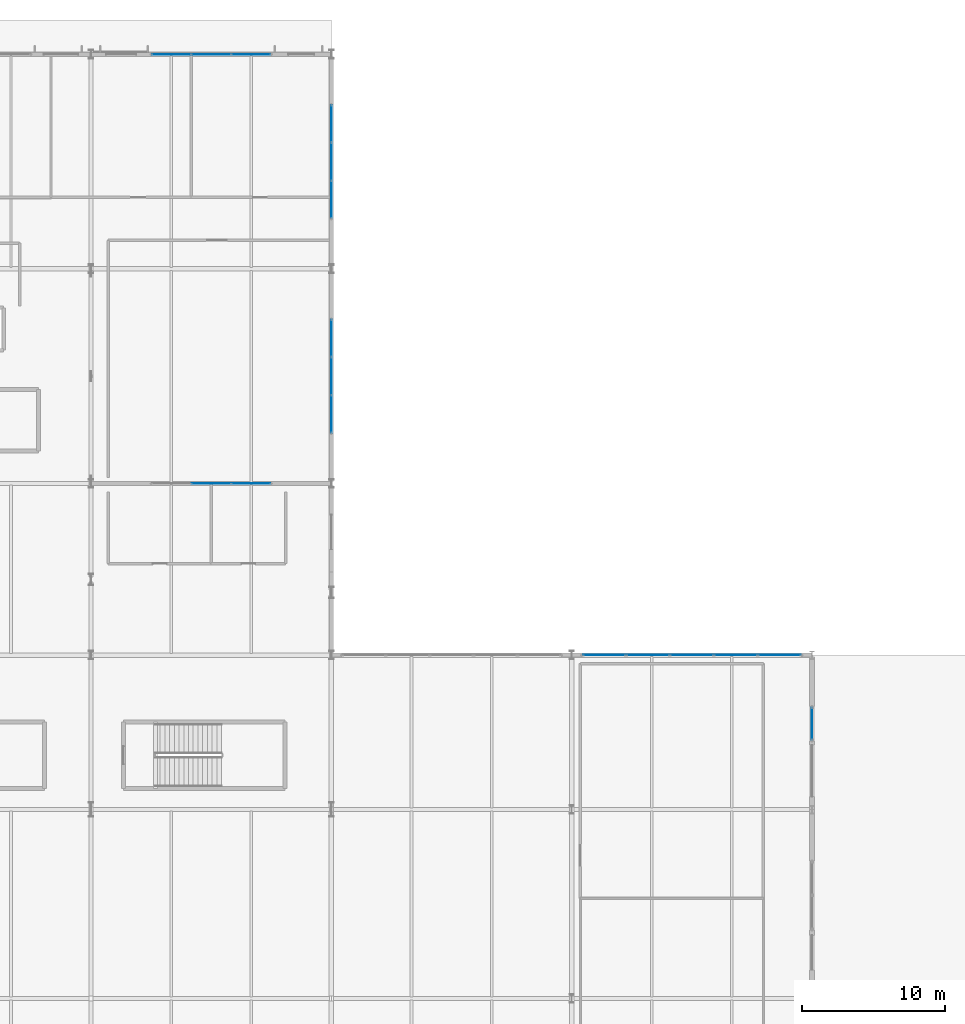
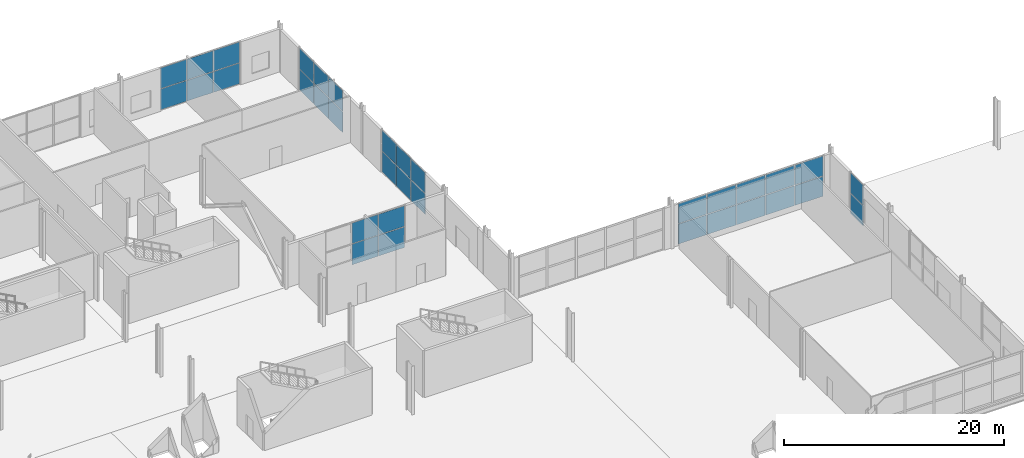
# One storey, part 57 of 87: 34 plates, 6 elements without a shape of their own.
"""IFC4 building model written with IfcOpenShell, lengths in metres."""

from ifc_helpers import new_model, si_unit, direction, frame, origin, origin_2d, place, context, subcontext, project, spatial, rectangle, extrude, material, layer, layer_set, type_object, element, aggregate, save


model = new_model("IFC4")

# Units and contexts
model_context = context("Model", 3, precision=1e-05, world=origin(), true_north=direction((0.0, 1.0)))
body_context = subcontext(model_context, "Body", "Model", "MODEL_VIEW")
ifc_project = project(units=[si_unit("LENGTHUNIT", "METRE"), si_unit("AREAUNIT", "SQUARE_METRE"), si_unit("VOLUMEUNIT", "CUBIC_METRE"), si_unit("PLANEANGLEUNIT", "RADIAN"), si_unit("MASSUNIT", "GRAM", prefix="KILO")], contexts=[model_context])

# Site, building, storey
site_placement = place(None, origin())
site = spatial("IfcSite", under=ifc_project, at=site_placement, CompositionType="ELEMENT")
building_placement = place(site_placement, origin())
building = spatial("IfcBuilding", under=site, at=building_placement, Name="Kimbaza Rail Terminus", CompositionType="ELEMENT")
storey_placement = place(building_placement, origin())
storey = spatial("IfcBuildingStorey", under=building, at=storey_placement, Name="L00", CompositionType="ELEMENT", Elevation=0.0)

# Curtain wall, plates
ifc_material_1 = material(Name="Anodised aluminium framing and solar low-E glazing", Category="aluminium")
curtain_wall_type_1 = type_object("IfcCurtainWallType", Name="ARC-CW-TH1", PredefinedType="USERDEFINED", material=ifc_material_1)
curtain_wall_1_placement = place(storey_placement, origin())
curtain_wall_1 = element("IfcCurtainWall", 1, at=curtain_wall_1_placement, inside=storey, type_object=curtain_wall_type_1, Name="Ticket Hall Wing E Curtain Wall L00.2", ObjectType="UNITISED CURTAIN WALL", PredefinedType="USERDEFINED")
ifc_material_2 = material(Name="Solar-control double low-E glazing", Category="glass")
ifc_layer_1 = layer(ifc_material_2, 0.035888671875)
ifc_layer_set_1 = layer_set([ifc_layer_1], Name="Solar-control double low-E glazing")
plate_type_1 = type_object("IfcPlateType", Name="ARC-CWP-01", PredefinedType="CURTAIN_PANEL", material=ifc_layer_set_1)
plate_1_placement = place(storey_placement, frame((175.07470703125, 91.0, 0.0751953125), z_axis=(0.0, 0.0, 1.0), x_axis=(1.0, 0.0, 0.0)))
plate_1 = element("IfcPlate", 2, at=plate_1_placement, type_object=plate_type_1, Name="CW-01 panel 1.1", PredefinedType="CURTAIN_PANEL", context=body_context, shape_type="SweptSolid", body=[
    extrude(rectangle(XDim=2.95947265625, YDim=0.035888671875, at=origin_2d()), origin(), (0.0, 0.0, 1.0), 2.199951171875),
])
plate_2_placement = place(storey_placement, frame((175.07470703125, 91.0, 2.35009765625), z_axis=(0.0, 0.0, 1.0), x_axis=(1.0, 0.0, 0.0)))
plate_2 = element("IfcPlate", 3, at=plate_2_placement, type_object=plate_type_1, Name="CW-01 panel 1.2", PredefinedType="CURTAIN_PANEL", context=body_context, shape_type="SweptSolid", body=[
    extrude(rectangle(XDim=2.95947265625, YDim=0.035888671875, at=origin_2d()), origin(), (0.0, 0.0, 1.0), 2.199951171875),
])
plate_3_placement = place(storey_placement, frame((178.1279296875, 91.0, 0.0751953125), z_axis=(0.0, 0.0, 1.0), x_axis=(1.0, 0.0, 0.0)))
plate_3 = element("IfcPlate", 4, at=plate_3_placement, type_object=plate_type_1, Name="CW-01 panel 2.1", PredefinedType="CURTAIN_PANEL", context=body_context, shape_type="SweptSolid", body=[
    extrude(rectangle(XDim=2.9970703125, YDim=0.035888671875, at=origin_2d()), origin(), (0.0, 0.0, 1.0), 2.199951171875),
])
plate_4_placement = place(storey_placement, frame((178.1279296875, 91.0, 2.35009765625), z_axis=(0.0, 0.0, 1.0), x_axis=(1.0, 0.0, 0.0)))
plate_4 = element("IfcPlate", 5, at=plate_4_placement, type_object=plate_type_1, Name="CW-01 panel 2.2", PredefinedType="CURTAIN_PANEL", context=body_context, shape_type="SweptSolid", body=[
    extrude(rectangle(XDim=2.9970703125, YDim=0.035888671875, at=origin_2d()), origin(), (0.0, 0.0, 1.0), 2.199951171875),
])
plate_5_placement = place(storey_placement, frame((181.199951171875, 91.0, 0.0751953125), z_axis=(0.0, 0.0, 1.0), x_axis=(1.0, 0.0, 0.0)))
plate_5 = element("IfcPlate", 6, at=plate_5_placement, type_object=plate_type_1, Name="CW-01 panel 3.1", PredefinedType="CURTAIN_PANEL", context=body_context, shape_type="SweptSolid", body=[
    extrude(rectangle(XDim=2.9970703125, YDim=0.035888671875, at=origin_2d()), origin(), (0.0, 0.0, 1.0), 2.199951171875),
])
plate_6_placement = place(storey_placement, frame((181.199951171875, 91.0, 2.35009765625), z_axis=(0.0, 0.0, 1.0), x_axis=(1.0, 0.0, 0.0)))
plate_6 = element("IfcPlate", 7, at=plate_6_placement, type_object=plate_type_1, Name="CW-01 panel 3.2", PredefinedType="CURTAIN_PANEL", context=body_context, shape_type="SweptSolid", body=[
    extrude(rectangle(XDim=2.9970703125, YDim=0.035888671875, at=origin_2d()), origin(), (0.0, 0.0, 1.0), 2.199951171875),
])
plate_7_placement = place(storey_placement, frame((184.27197265625, 91.0, 0.0751953125), z_axis=(0.0, 0.0, 1.0), x_axis=(1.0, 0.0, 0.0)))
plate_7 = element("IfcPlate", 8, at=plate_7_placement, type_object=plate_type_1, Name="CW-01 panel 4.1", PredefinedType="CURTAIN_PANEL", context=body_context, shape_type="SweptSolid", body=[
    extrude(rectangle(XDim=2.9970703125, YDim=0.035888671875, at=origin_2d()), origin(), (0.0, 0.0, 1.0), 2.199951171875),
])
plate_8_placement = place(storey_placement, frame((184.27197265625, 91.0, 2.35009765625), z_axis=(0.0, 0.0, 1.0), x_axis=(1.0, 0.0, 0.0)))
plate_8 = element("IfcPlate", 9, at=plate_8_placement, type_object=plate_type_1, Name="CW-01 panel 4.2", PredefinedType="CURTAIN_PANEL", context=body_context, shape_type="SweptSolid", body=[
    extrude(rectangle(XDim=2.9970703125, YDim=0.035888671875, at=origin_2d()), origin(), (0.0, 0.0, 1.0), 2.199951171875),
])
plate_9_placement = place(storey_placement, frame((187.3251953125, 91.0, 0.0751953125), z_axis=(0.0, 0.0, 1.0), x_axis=(1.0, 0.0, 0.0)))
plate_9 = element("IfcPlate", 10, at=plate_9_placement, type_object=plate_type_1, Name="CW-01 panel 5.1", PredefinedType="CURTAIN_PANEL", context=body_context, shape_type="SweptSolid", body=[
    extrude(rectangle(XDim=2.95947265625, YDim=0.035888671875, at=origin_2d()), origin(), (0.0, 0.0, 1.0), 2.199951171875),
])
plate_10_placement = place(storey_placement, frame((187.3251953125, 91.0, 2.35009765625), z_axis=(0.0, 0.0, 1.0), x_axis=(1.0, 0.0, 0.0)))
plate_10 = element("IfcPlate", 11, at=plate_10_placement, type_object=plate_type_1, Name="CW-01 panel 5.2", PredefinedType="CURTAIN_PANEL", context=body_context, shape_type="SweptSolid", body=[
    extrude(rectangle(XDim=2.95947265625, YDim=0.035888671875, at=origin_2d()), origin(), (0.0, 0.0, 1.0), 2.199951171875),
])
aggregate(curtain_wall_1, [plate_1, plate_2, plate_3, plate_4, plate_5, plate_6, plate_7, plate_8, plate_9, plate_10])

curtain_wall_2_placement = place(storey_placement, origin())
curtain_wall_2 = element("IfcCurtainWall", 12, at=curtain_wall_2_placement, inside=storey, type_object=curtain_wall_type_1, Name="Ticket Hall E Glazing L00.3", ObjectType="UNITISED CURTAIN WALL", PredefinedType="USERDEFINED")
plate_11_placement = place(storey_placement, frame((189.60009765625, 86.199951171875, 0.074951171875), z_axis=(0.0, 0.0, 1.0), x_axis=(0.0, 1.0, 0.0)))
plate_11 = element("IfcPlate", 13, at=plate_11_placement, type_object=plate_type_1, Name="CW-01 panel 1.1", PredefinedType="CURTAIN_PANEL", context=body_context, shape_type="SweptSolid", body=[
    extrude(rectangle(XDim=2.25, YDim=0.035888671875, at=origin_2d()), origin(), (0.0, 0.0, 1.0), 2.22509765625),
])
plate_12_placement = place(storey_placement, frame((189.60009765625, 86.199951171875, 2.375), z_axis=(0.0, 0.0, 1.0), x_axis=(0.0, 1.0, 0.0)))
plate_12 = element("IfcPlate", 14, at=plate_12_placement, type_object=plate_type_1, Name="CW-01 panel 1.2", PredefinedType="CURTAIN_PANEL", context=body_context, shape_type="SweptSolid", body=[
    extrude(rectangle(XDim=2.25, YDim=0.035888671875, at=origin_2d()), origin(), (0.0, 0.0, 1.0), 2.22509765625),
])
aggregate(curtain_wall_2, [plate_11, plate_12])

ifc_material_3 = material(Name="Anodised aluminium framing and solar low-E glazing", Category="aluminium")
curtain_wall_type_2 = type_object("IfcCurtainWallType", Name="ARC-CW-OP1", PredefinedType="USERDEFINED", material=ifc_material_3)
curtain_wall_3_placement = place(storey_placement, origin())
curtain_wall_3 = element("IfcCurtainWall", 15, at=curtain_wall_3_placement, inside=storey, type_object=curtain_wall_type_2, Name="Operations North Curtain Wall L00 Bay 6", ObjectType="UNITISED CURTAIN WALL", PredefinedType="USERDEFINED")
ifc_material_4 = material(Name="Solar-control double low-E glazing", Category="glass")
ifc_layer_2 = layer(ifc_material_4, 0.02490234375)
ifc_layer_set_2 = layer_set([ifc_layer_2], Name="Solar-control double low-E glazing")
plate_type_2 = type_object("IfcPlateType", Name="ARC-CWP-05", PredefinedType="CURTAIN_PANEL", material=ifc_layer_set_2)
plate_13_placement = place(storey_placement, frame((144.8154296875, 133.0, 0.06201171875), z_axis=(0.0, 0.0, 1.0), x_axis=(1.0, 0.0, 0.0)))
plate_13 = element("IfcPlate", 16, at=plate_13_placement, type_object=plate_type_2, Name="CW-05 panel 1.1", PredefinedType="CURTAIN_PANEL", context=body_context, shape_type="SweptSolid", body=[
    extrude(rectangle(XDim=2.70703125, YDim=0.02490234375, at=origin_2d()), origin(), (0.0, 0.0, 1.0), 2.28955078125),
])
plate_14_placement = place(storey_placement, frame((144.8154296875, 133.0, 2.41357421875), z_axis=(0.0, 0.0, 1.0), x_axis=(1.0, 0.0, 0.0)))
plate_14 = element("IfcPlate", 17, at=plate_14_placement, type_object=plate_type_2, Name="CW-05 panel 1.2", PredefinedType="CURTAIN_PANEL", context=body_context, shape_type="SweptSolid", body=[
    extrude(rectangle(XDim=2.70703125, YDim=0.02490234375, at=origin_2d()), origin(), (0.0, 0.0, 1.0), 2.28955078125),
])
plate_15_placement = place(storey_placement, frame((147.60009765625, 133.0, 0.06201171875), z_axis=(0.0, 0.0, 1.0), x_axis=(1.0, 0.0, 0.0)))
plate_15 = element("IfcPlate", 18, at=plate_15_placement, type_object=plate_type_2, Name="CW-05 panel 2.1", PredefinedType="CURTAIN_PANEL", context=body_context, shape_type="SweptSolid", body=[
    extrude(rectangle(XDim=2.738037109375, YDim=0.02490234375, at=origin_2d()), origin(), (0.0, 0.0, 1.0), 2.28955078125),
])
plate_16_placement = place(storey_placement, frame((147.60009765625, 133.0, 2.41357421875), z_axis=(0.0, 0.0, 1.0), x_axis=(1.0, 0.0, 0.0)))
plate_16 = element("IfcPlate", 19, at=plate_16_placement, type_object=plate_type_2, Name="CW-05 panel 2.2", PredefinedType="CURTAIN_PANEL", context=body_context, shape_type="SweptSolid", body=[
    extrude(rectangle(XDim=2.738037109375, YDim=0.02490234375, at=origin_2d()), origin(), (0.0, 0.0, 1.0), 2.28955078125),
])
plate_17_placement = place(storey_placement, frame((150.384521484375, 133.0, 0.06201171875), z_axis=(0.0, 0.0, 1.0), x_axis=(1.0, 0.0, 0.0)))
plate_17 = element("IfcPlate", 20, at=plate_17_placement, type_object=plate_type_2, Name="CW-05 panel 3.1", PredefinedType="CURTAIN_PANEL", context=body_context, shape_type="SweptSolid", body=[
    extrude(rectangle(XDim=2.70703125, YDim=0.02490234375, at=origin_2d()), origin(), (0.0, 0.0, 1.0), 2.28955078125),
])
plate_18_placement = place(storey_placement, frame((150.384521484375, 133.0, 2.41357421875), z_axis=(0.0, 0.0, 1.0), x_axis=(1.0, 0.0, 0.0)))
plate_18 = element("IfcPlate", 21, at=plate_18_placement, type_object=plate_type_2, Name="CW-05 panel 3.2", PredefinedType="CURTAIN_PANEL", context=body_context, shape_type="SweptSolid", body=[
    extrude(rectangle(XDim=2.70703125, YDim=0.02490234375, at=origin_2d()), origin(), (0.0, 0.0, 1.0), 2.28955078125),
])
aggregate(curtain_wall_3, [plate_13, plate_14, plate_15, plate_16, plate_17, plate_18])

curtain_wall_4_placement = place(storey_placement, origin())
curtain_wall_4 = element("IfcCurtainWall", 22, at=curtain_wall_4_placement, inside=storey, type_object=curtain_wall_type_2, Name="Operations South Curtain Wall L00 Bay 6", ObjectType="UNITISED CURTAIN WALL", PredefinedType="USERDEFINED")
plate_19_placement = place(storey_placement, frame((147.60009765625, 103.0, 0.06201171875), z_axis=(0.0, 0.0, 1.0), x_axis=(1.0, 0.0, 0.0)))
plate_19 = element("IfcPlate", 23, at=plate_19_placement, type_object=plate_type_2, Name="CW-05 panel 2.1", PredefinedType="CURTAIN_PANEL", context=body_context, shape_type="SweptSolid", body=[
    extrude(rectangle(XDim=2.738037109375, YDim=0.02490234375, at=origin_2d()), origin(), (0.0, 0.0, 1.0), 2.28955078125),
])
plate_20_placement = place(storey_placement, frame((147.60009765625, 103.0, 2.41357421875), z_axis=(0.0, 0.0, 1.0), x_axis=(1.0, 0.0, 0.0)))
plate_20 = element("IfcPlate", 24, at=plate_20_placement, type_object=plate_type_2, Name="CW-05 panel 2.2", PredefinedType="CURTAIN_PANEL", context=body_context, shape_type="SweptSolid", body=[
    extrude(rectangle(XDim=2.738037109375, YDim=0.02490234375, at=origin_2d()), origin(), (0.0, 0.0, 1.0), 2.28955078125),
])
plate_21_placement = place(storey_placement, frame((150.384521484375, 103.0, 0.06201171875), z_axis=(0.0, 0.0, 1.0), x_axis=(1.0, 0.0, 0.0)))
plate_21 = element("IfcPlate", 25, at=plate_21_placement, type_object=plate_type_2, Name="CW-05 panel 3.1", PredefinedType="CURTAIN_PANEL", context=body_context, shape_type="SweptSolid", body=[
    extrude(rectangle(XDim=2.70703125, YDim=0.02490234375, at=origin_2d()), origin(), (0.0, 0.0, 1.0), 2.28955078125),
])
plate_22_placement = place(storey_placement, frame((150.384521484375, 103.0, 2.41357421875), z_axis=(0.0, 0.0, 1.0), x_axis=(1.0, 0.0, 0.0)))
plate_22 = element("IfcPlate", 26, at=plate_22_placement, type_object=plate_type_2, Name="CW-05 panel 3.2", PredefinedType="CURTAIN_PANEL", context=body_context, shape_type="SweptSolid", body=[
    extrude(rectangle(XDim=2.70703125, YDim=0.02490234375, at=origin_2d()), origin(), (0.0, 0.0, 1.0), 2.28955078125),
])
aggregate(curtain_wall_4, [plate_19, plate_20, plate_21, plate_22])

curtain_wall_5_placement = place(storey_placement, origin())
curtain_wall_5 = element("IfcCurtainWall", 27, at=curtain_wall_5_placement, inside=storey, type_object=curtain_wall_type_2, Name="Operations E Curtain Wall L00.1", ObjectType="UNITISED CURTAIN WALL", PredefinedType="USERDEFINED")
plate_23_placement = place(storey_placement, frame((156.0, 107.848876953125, 0.06201171875), z_axis=(0.0, 0.0, 1.0), x_axis=(0.0, 1.0, 0.0)))
plate_23 = element("IfcPlate", 28, at=plate_23_placement, type_object=plate_type_2, Name="CW-05 panel 1.1", PredefinedType="CURTAIN_PANEL", context=body_context, shape_type="SweptSolid", body=[
    extrude(rectangle(XDim=2.57373046875, YDim=0.02490234375, at=origin_2d()), origin(), (0.0, 0.0, 1.0), 2.28955078125),
])
plate_24_placement = place(storey_placement, frame((156.0, 107.848876953125, 2.41357421875), z_axis=(0.0, 0.0, 1.0), x_axis=(0.0, 1.0, 0.0)))
plate_24 = element("IfcPlate", 29, at=plate_24_placement, type_object=plate_type_2, Name="CW-05 panel 1.2", PredefinedType="CURTAIN_PANEL", context=body_context, shape_type="SweptSolid", body=[
    extrude(rectangle(XDim=2.57373046875, YDim=0.02490234375, at=origin_2d()), origin(), (0.0, 0.0, 1.0), 2.28955078125),
])
plate_25_placement = place(storey_placement, frame((156.0, 110.5, 0.06201171875), z_axis=(0.0, 0.0, 1.0), x_axis=(0.0, 1.0, 0.0)))
plate_25 = element("IfcPlate", 30, at=plate_25_placement, type_object=plate_type_2, Name="CW-05 panel 2.1", PredefinedType="CURTAIN_PANEL", context=body_context, shape_type="SweptSolid", body=[
    extrude(rectangle(XDim=2.604736328125, YDim=0.02490234375, at=origin_2d()), origin(), (0.0, 0.0, 1.0), 2.28955078125),
])
plate_26_placement = place(storey_placement, frame((156.0, 110.5, 2.41357421875), z_axis=(0.0, 0.0, 1.0), x_axis=(0.0, 1.0, 0.0)))
plate_26 = element("IfcPlate", 31, at=plate_26_placement, type_object=plate_type_2, Name="CW-05 panel 2.2", PredefinedType="CURTAIN_PANEL", context=body_context, shape_type="SweptSolid", body=[
    extrude(rectangle(XDim=2.604736328125, YDim=0.02490234375, at=origin_2d()), origin(), (0.0, 0.0, 1.0), 2.28955078125),
])
plate_27_placement = place(storey_placement, frame((156.0, 113.151123046875, 0.06201171875), z_axis=(0.0, 0.0, 1.0), x_axis=(0.0, 1.0, 0.0)))
plate_27 = element("IfcPlate", 32, at=plate_27_placement, type_object=plate_type_2, Name="CW-05 panel 3.1", PredefinedType="CURTAIN_PANEL", context=body_context, shape_type="SweptSolid", body=[
    extrude(rectangle(XDim=2.57373046875, YDim=0.02490234375, at=origin_2d()), origin(), (0.0, 0.0, 1.0), 2.28955078125),
])
plate_28_placement = place(storey_placement, frame((156.0, 113.151123046875, 2.41357421875), z_axis=(0.0, 0.0, 1.0), x_axis=(0.0, 1.0, 0.0)))
plate_28 = element("IfcPlate", 33, at=plate_28_placement, type_object=plate_type_2, Name="CW-05 panel 3.2", PredefinedType="CURTAIN_PANEL", context=body_context, shape_type="SweptSolid", body=[
    extrude(rectangle(XDim=2.57373046875, YDim=0.02490234375, at=origin_2d()), origin(), (0.0, 0.0, 1.0), 2.28955078125),
])
aggregate(curtain_wall_5, [plate_23, plate_24, plate_25, plate_26, plate_27, plate_28])

curtain_wall_6_placement = place(storey_placement, origin())
curtain_wall_6 = element("IfcCurtainWall", 34, at=curtain_wall_6_placement, inside=storey, type_object=curtain_wall_type_2, Name="Operations E Curtain Wall L00.2", ObjectType="UNITISED CURTAIN WALL", PredefinedType="USERDEFINED")
plate_29_placement = place(storey_placement, frame((156.0, 122.848876953125, 0.06201171875), z_axis=(0.0, 0.0, 1.0), x_axis=(0.0, 1.0, 0.0)))
plate_29 = element("IfcPlate", 35, at=plate_29_placement, type_object=plate_type_2, Name="CW-05 panel 1.1", PredefinedType="CURTAIN_PANEL", context=body_context, shape_type="SweptSolid", body=[
    extrude(rectangle(XDim=2.57373046875, YDim=0.02490234375, at=origin_2d()), origin(), (0.0, 0.0, 1.0), 2.28955078125),
])
plate_30_placement = place(storey_placement, frame((156.0, 122.848876953125, 2.41357421875), z_axis=(0.0, 0.0, 1.0), x_axis=(0.0, 1.0, 0.0)))
plate_30 = element("IfcPlate", 36, at=plate_30_placement, type_object=plate_type_2, Name="CW-05 panel 1.2", PredefinedType="CURTAIN_PANEL", context=body_context, shape_type="SweptSolid", body=[
    extrude(rectangle(XDim=2.57373046875, YDim=0.02490234375, at=origin_2d()), origin(), (0.0, 0.0, 1.0), 2.28955078125),
])
plate_31_placement = place(storey_placement, frame((156.0, 125.5, 0.06201171875), z_axis=(0.0, 0.0, 1.0), x_axis=(0.0, 1.0, 0.0)))
plate_31 = element("IfcPlate", 37, at=plate_31_placement, type_object=plate_type_2, Name="CW-05 panel 2.1", PredefinedType="CURTAIN_PANEL", context=body_context, shape_type="SweptSolid", body=[
    extrude(rectangle(XDim=2.604736328125, YDim=0.02490234375, at=origin_2d()), origin(), (0.0, 0.0, 1.0), 2.28955078125),
])
plate_32_placement = place(storey_placement, frame((156.0, 125.5, 2.41357421875), z_axis=(0.0, 0.0, 1.0), x_axis=(0.0, 1.0, 0.0)))
plate_32 = element("IfcPlate", 38, at=plate_32_placement, type_object=plate_type_2, Name="CW-05 panel 2.2", PredefinedType="CURTAIN_PANEL", context=body_context, shape_type="SweptSolid", body=[
    extrude(rectangle(XDim=2.604736328125, YDim=0.02490234375, at=origin_2d()), origin(), (0.0, 0.0, 1.0), 2.28955078125),
])
plate_33_placement = place(storey_placement, frame((156.0, 128.151123046875, 0.06201171875), z_axis=(0.0, 0.0, 1.0), x_axis=(0.0, 1.0, 0.0)))
plate_33 = element("IfcPlate", 39, at=plate_33_placement, type_object=plate_type_2, Name="CW-05 panel 3.1", PredefinedType="CURTAIN_PANEL", context=body_context, shape_type="SweptSolid", body=[
    extrude(rectangle(XDim=2.57373046875, YDim=0.02490234375, at=origin_2d()), origin(), (0.0, 0.0, 1.0), 2.28955078125),
])
plate_34_placement = place(storey_placement, frame((156.0, 128.151123046875, 2.41357421875), z_axis=(0.0, 0.0, 1.0), x_axis=(0.0, 1.0, 0.0)))
plate_34 = element("IfcPlate", 40, at=plate_34_placement, type_object=plate_type_2, Name="CW-05 panel 3.2", PredefinedType="CURTAIN_PANEL", context=body_context, shape_type="SweptSolid", body=[
    extrude(rectangle(XDim=2.57373046875, YDim=0.02490234375, at=origin_2d()), origin(), (0.0, 0.0, 1.0), 2.28955078125),
])
aggregate(curtain_wall_6, [plate_29, plate_30, plate_31, plate_32, plate_33, plate_34])

save(model, "model.ifc")
